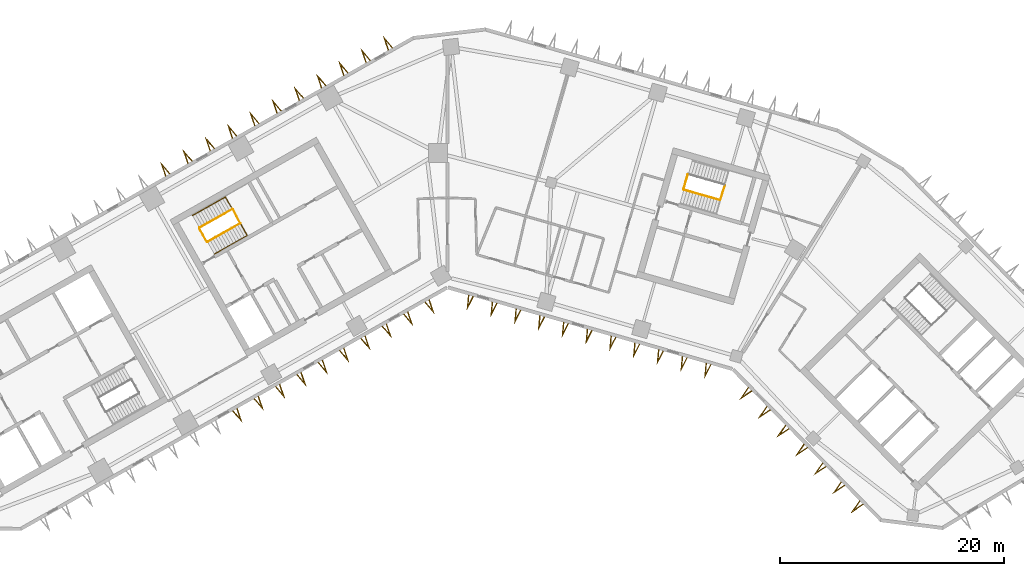
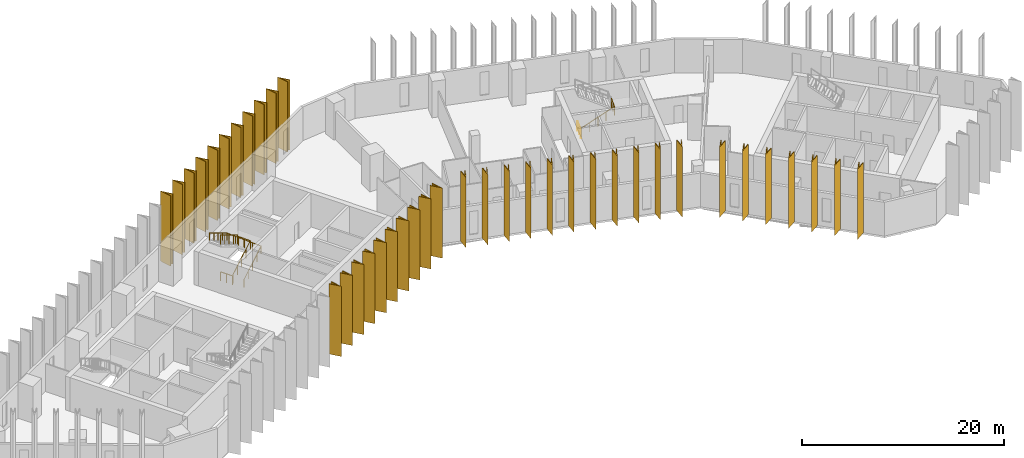
# One storey, part 10 of 11: 39 shading devices, 6 railings.
"""IFC4 building model written with IfcOpenShell, lengths in metres."""

from ifc_helpers import new_model, si_unit, direction, frame, origin, origin_2d, place, context, subcontext, project, spatial, polyline, circle, outline, extrude, material, type_object, element, save


model = new_model("IFC4")

# Units and contexts
model_context = context("Model", 3, precision=1e-05, world=origin(), true_north=direction((0.0, 1.0)))
body_context = subcontext(model_context, "Body", "Model", "MODEL_VIEW")
ifc_project = project(units=[si_unit("LENGTHUNIT", "METRE"), si_unit("AREAUNIT", "SQUARE_METRE"), si_unit("VOLUMEUNIT", "CUBIC_METRE"), si_unit("PLANEANGLEUNIT", "RADIAN"), si_unit("MASSUNIT", "GRAM", prefix="KILO")], contexts=[model_context])

# Site, building, storey
site_placement = place(None, origin())
site = spatial("IfcSite", under=ifc_project, at=site_placement, CompositionType="ELEMENT")
building_placement = place(site_placement, origin())
building = spatial("IfcBuilding", under=site, at=building_placement, Name="Binnacle Exchange Tower", CompositionType="ELEMENT")
storey_placement = place(building_placement, frame((0.0, 0.0, 114.699951171875)))
storey = spatial("IfcBuildingStorey", under=building, at=storey_placement, Name="L23", CompositionType="ELEMENT", Elevation=114.699951171875)

# Railings
ifc_material_1 = material(Name="Steel guard rail", Category="steel")
railing_type_1 = type_object("IfcRailingType", Name="STAIR GUARD 1100", PredefinedType="GUARDRAIL", material=ifc_material_1)
railing_1_placement = place(storey_placement, frame((-21.423828125, 52.07275390625, 0.169189453125)))
element("IfcRailing", 1, at=railing_1_placement, inside=storey, type_object=railing_type_1, Name="L23 STC1 stair guard 1", PredefinedType="GUARDRAIL", context=body_context, shape_type="SweptSolid", body=[
    extrude(circle(Radius=0.02392578125, at=origin_2d()), frame((0.0, 0.0, 1.076171875), z_axis=(0.744895141965, 0.421417011194, 0.517241655469), x_axis=(-0.49240197835, 0.870367905955, 0.0)), (0.0, 0.0, 1.0), 3.926025390625),
    extrude(circle(Radius=0.02392578125, at=origin_2d()), frame((2.924560546875, 1.654541015625, 3.10693359375), z_axis=(-0.461171632143, 0.887310952094, 0.0), x_axis=(-0.887310952094, -0.461171632143, 0.0)), (0.0, 0.0, 1.0), 1.40087890625),
    extrude(circle(Radius=0.02099609375, at=origin_2d()), origin(), (0.0, 0.0, 1.0), 1.052001953125),
    extrude(circle(Radius=0.02099609375, at=origin_2d()), frame((0.731201171875, 0.41357421875, 0.5078125)), (0.0, 0.0, 1.0), 1.052001953125),
    extrude(circle(Radius=0.02099609375, at=origin_2d()), frame((1.46240234375, 0.8271484375, 1.015380859375)), (0.0, 0.0, 1.0), 1.052001953125),
    extrude(circle(Radius=0.02099609375, at=origin_2d()), frame((2.193359375, 1.240966796875, 1.52294921875)), (0.0, 0.0, 1.0), 1.052001953125),
    extrude(circle(Radius=0.02099609375, at=origin_2d()), frame((2.924560546875, 1.654541015625, 2.03076171875)), (0.0, 0.0, 1.0), 1.052001953125),
    extrude(circle(Radius=0.02099609375, at=origin_2d()), frame((2.6015625, 2.27587890625, 2.03076171875)), (0.0, 0.0, 1.0), 1.052001953125),
    extrude(circle(Radius=0.02099609375, at=origin_2d()), frame((2.278564453125, 2.8974609375, 2.03076171875)), (0.0, 0.0, 1.0), 1.052001953125),
])
railing_2_placement = place(storey_placement, frame((-19.21337890625, 54.9892578125, 2.369384765625)))
element("IfcRailing", 2, at=railing_2_placement, inside=storey, type_object=railing_type_1, Name="L23 STC1 stair guard 2", PredefinedType="GUARDRAIL", context=body_context, shape_type="SweptSolid", body=[
    extrude(circle(Radius=0.02392578125, at=origin_2d()), frame((0.0, 0.0, 1.076171875), z_axis=(-0.744867460262, -0.421436531824, 0.517265614832), x_axis=(0.492433119026, -0.870350287693, 0.0)), (0.0, 0.0, 1.0), 3.926025390625),
    extrude(circle(Radius=0.02099609375, at=origin_2d()), origin(), (0.0, 0.0, 1.0), 1.052001953125),
    extrude(circle(Radius=0.02099609375, at=origin_2d()), frame((-0.73095703125, -0.41357421875, 0.5078125)), (0.0, 0.0, 1.0), 1.052001953125),
    extrude(circle(Radius=0.02099609375, at=origin_2d()), frame((-1.462158203125, -0.8271484375, 1.015380859375)), (0.0, 0.0, 1.0), 1.052001953125),
    extrude(circle(Radius=0.02099609375, at=origin_2d()), frame((-2.193359375, -1.240966796875, 1.52294921875)), (0.0, 0.0, 1.0), 1.052001953125),
    extrude(circle(Radius=0.02099609375, at=origin_2d()), frame((-2.92431640625, -1.654541015625, 2.03076171875)), (0.0, 0.0, 1.0), 1.052001953125),
])
railing_3_placement = place(storey_placement, frame((-21.491943359375, 52.091552734375, 0.0)))
element("IfcRailing", 3, at=railing_3_placement, inside=storey, type_object=railing_type_1, Name="L23 STC1 stair guard 3", PredefinedType="GUARDRAIL", context=body_context, shape_type="SweptSolid", body=[
    extrude(circle(Radius=0.02392578125, at=origin_2d()), frame((0.0, 0.0, 1.076171875), z_axis=(-0.49241474071, 0.870360685654, 0.0), x_axis=(-0.870360685654, -0.49241474071, 0.0)), (0.0, 0.0, 1.0), 1.35009765625),
    extrude(circle(Radius=0.02099609375, at=origin_2d()), origin(), (0.0, 0.0, 1.0), 1.052001953125),
    extrude(circle(Radius=0.02099609375, at=origin_2d()), frame((-0.33251953125, 0.58740234375, 0.0)), (0.0, 0.0, 1.0), 1.052001953125),
    extrude(circle(Radius=0.02099609375, at=origin_2d()), frame((-0.664794921875, 1.175048828125, 0.0)), (0.0, 0.0, 1.0), 1.052001953125),
])
railing_4_placement = place(storey_placement, frame((21.086669921875, 56.71044921875, 0.169189453125)))
element("IfcRailing", 4, at=railing_4_placement, inside=storey, type_object=railing_type_1, Name="L23 STD1 stair guard 1", PredefinedType="GUARDRAIL", context=body_context, shape_type="SweptSolid", body=[
    extrude(circle(Radius=0.02392578125, at=origin_2d()), frame((0.0, 0.0, 1.076171875), z_axis=(0.82266146106, -0.235934506256, 0.517264950721), x_axis=(0.27568068152, 0.961249271436, 0.0)), (0.0, 0.0, 1.0), 3.926025390625),
    extrude(circle(Radius=0.02392578125, at=origin_2d()), frame((3.229736328125, -0.92626953125, 3.10693359375), z_axis=(0.309842533299, 0.950787886208, 0.0), x_axis=(-0.950787886208, 0.309842533299, 0.0)), (0.0, 0.0, 1.0), 1.40087890625),
    extrude(circle(Radius=0.02099609375, at=origin_2d()), origin(), (0.0, 0.0, 1.0), 1.052001953125),
    extrude(circle(Radius=0.02099609375, at=origin_2d()), frame((0.807373046875, -0.2314453125, 0.5078125)), (0.0, 0.0, 1.0), 1.052001953125),
    extrude(circle(Radius=0.02099609375, at=origin_2d()), frame((1.61474609375, -0.463134765625, 1.015380859375)), (0.0, 0.0, 1.0), 1.052001953125),
    extrude(circle(Radius=0.02099609375, at=origin_2d()), frame((2.42236328125, -0.69482421875, 1.52294921875)), (0.0, 0.0, 1.0), 1.052001953125),
    extrude(circle(Radius=0.02099609375, at=origin_2d()), frame((3.229736328125, -0.92626953125, 2.03076171875)), (0.0, 0.0, 1.0), 1.052001953125),
    extrude(circle(Radius=0.02099609375, at=origin_2d()), frame((3.44677734375, -0.26025390625, 2.03076171875)), (0.0, 0.0, 1.0), 1.052001953125),
    extrude(circle(Radius=0.02099609375, at=origin_2d()), frame((3.663818359375, 0.40576171875, 2.03076171875)), (0.0, 0.0, 1.0), 1.052001953125),
])
railing_5_placement = place(storey_placement, frame((21.05224609375, 56.772216796875, 0.0)))
element("IfcRailing", 5, at=railing_5_placement, inside=storey, type_object=railing_type_1, Name="L23 STD1 stair guard 3", PredefinedType="GUARDRAIL", context=body_context, shape_type="SweptSolid", body=[
    extrude(circle(Radius=0.02392578125, at=origin_2d()), frame((0.0, 0.0, 1.076171875), z_axis=(0.275795817769, 0.961216243569, 0.0), x_axis=(-0.961216243569, 0.275795817769, 0.0)), (0.0, 0.0, 1.0), 1.349853515625),
    extrude(circle(Radius=0.02099609375, at=origin_2d()), origin(), (0.0, 0.0, 1.0), 1.052001953125),
    extrude(circle(Radius=0.02099609375, at=origin_2d()), frame((0.18603515625, 0.64892578125, 0.0)), (0.0, 0.0, 1.0), 1.052001953125),
    extrude(circle(Radius=0.02099609375, at=origin_2d()), frame((0.372314453125, 1.297607421875, 0.0)), (0.0, 0.0, 1.0), 1.052001953125),
])
ifc_material_2 = material(Name="Steel handrail", Category="steel")
railing_type_2 = type_object("IfcRailingType", Name="STAIR HANDRAIL 900", PredefinedType="HANDRAIL", material=ifc_material_2)
railing_6_placement = place(storey_placement, frame((-20.808349609375, 50.984619140625, 0.169189453125)))
element("IfcRailing", 6, at=railing_6_placement, inside=storey, type_object=railing_type_2, Name="L23 STC1 stair handrail 1", PredefinedType="HANDRAIL", context=body_context, shape_type="SweptSolid", body=[
    extrude(circle(Radius=0.02392578125, at=origin_2d()), frame((0.0, 0.0, 0.8759765625), z_axis=(0.744895141965, 0.421417011194, 0.517241655469), x_axis=(-0.49240197835, 0.870367905955, 0.0)), (0.0, 0.0, 1.0), 3.926025390625),
    extrude(circle(Radius=0.02392578125, at=origin_2d()), frame((2.924560546875, 1.654541015625, 2.90673828125), z_axis=(-0.491961255224, 0.869561741692, 0.042854413346), x_axis=(-0.870361318571, -0.492413622004, 0.0)), (0.0, 0.0, 1.0), 3.95361328125),
    extrude(circle(Radius=0.02392578125, at=origin_2d()), frame((0.9794921875, 5.092529296875, 3.076171875), z_axis=(-0.744895141965, -0.421417011194, 0.517241655469), x_axis=(0.49240197835, -0.870367905955, 0.0)), (0.0, 0.0, 1.0), 3.926025390625),
    extrude(circle(Radius=0.02099609375, at=origin_2d()), origin(), (0.0, 0.0, 1.0), 0.851806640625),
    extrude(circle(Radius=0.02099609375, at=origin_2d()), frame((0.731201171875, 0.41357421875, 0.5078125)), (0.0, 0.0, 1.0), 0.851806640625),
    extrude(circle(Radius=0.02099609375, at=origin_2d()), frame((1.46240234375, 0.8271484375, 1.015380859375)), (0.0, 0.0, 1.0), 0.851806640625),
    extrude(circle(Radius=0.02099609375, at=origin_2d()), frame((2.193359375, 1.240966796875, 1.52294921875)), (0.0, 0.0, 1.0), 0.851806640625),
    extrude(circle(Radius=0.02099609375, at=origin_2d()), frame((2.924560546875, 1.654541015625, 2.03076171875)), (0.0, 0.0, 1.0), 0.851806640625),
    extrude(circle(Radius=0.02099609375, at=origin_2d()), frame((2.438232421875, 2.51416015625, 2.0732421875)), (0.0, 0.0, 1.0), 0.851806640625),
    extrude(circle(Radius=0.02099609375, at=origin_2d()), frame((1.9521484375, 3.37353515625, 2.115478515625)), (0.0, 0.0, 1.0), 0.851806640625),
    extrude(circle(Radius=0.02099609375, at=origin_2d()), frame((1.4658203125, 4.23291015625, 2.15771484375)), (0.0, 0.0, 1.0), 0.851806640625),
    extrude(circle(Radius=0.02099609375, at=origin_2d()), frame((0.9794921875, 5.092529296875, 2.2001953125)), (0.0, 0.0, 1.0), 0.851806640625),
    extrude(circle(Radius=0.02099609375, at=origin_2d()), frame((0.248291015625, 4.678955078125, 2.7080078125)), (0.0, 0.0, 1.0), 0.851806640625),
    extrude(circle(Radius=0.02099609375, at=origin_2d()), frame((-0.48291015625, 4.26513671875, 3.215576171875)), (0.0, 0.0, 1.0), 0.851806640625),
    extrude(circle(Radius=0.02099609375, at=origin_2d()), frame((-1.2138671875, 3.8515625, 3.72314453125)), (0.0, 0.0, 1.0), 0.851806640625),
    extrude(circle(Radius=0.02099609375, at=origin_2d()), frame((-1.945068359375, 3.43798828125, 4.23095703125)), (0.0, 0.0, 1.0), 0.851806640625),
])

# Shading devices
ifc_material_3 = material(Name="Bronze aluminium cladding", Category="aluminium")
shading_device_type = type_object("IfcShadingDeviceType", Name="V FIN 1300 DEEP x 8480 HIGH", PredefinedType="USERDEFINED", material=ifc_material_3)
shading_device_1_placement = place(storey_placement, origin())
element("IfcShadingDevice", 7, at=shading_device_1_placement, inside=storey, type_object=shading_device_type, Name="V fin FN-F03-01 L23", ObjectType="FIN", PredefinedType="USERDEFINED", context=body_context, shape_type="SweptSolid", body=[
    extrude(outline(polyline([(-4.88916015625, 69.40625), (-5.746826171875, 70.41455078125), (-5.32421875, 69.159912109375), (-5.25341796875, 69.2001953125), (-5.5380859375, 70.0458984375), (-4.9599609375, 69.3662109375), (-4.88916015625, 69.40625)])), origin(), (0.0, 0.0, 1.0), 8.47998046875),
])
shading_device_2_placement = place(storey_placement, origin())
element("IfcShadingDevice", 8, at=shading_device_2_placement, inside=storey, type_object=shading_device_type, Name="V fin FN-F03-02 L23", ObjectType="FIN", PredefinedType="USERDEFINED", context=body_context, shape_type="SweptSolid", body=[
    extrude(outline(polyline([(-6.87548828125, 68.2822265625), (-7.7333984375, 69.290771484375), (-7.310791015625, 68.0361328125), (-7.239990234375, 68.076171875), (-7.524658203125, 68.922119140625), (-6.946533203125, 68.2421875), (-6.87548828125, 68.2822265625)])), origin(), (0.0, 0.0, 1.0), 8.47998046875),
])
shading_device_3_placement = place(storey_placement, origin())
element("IfcShadingDevice", 9, at=shading_device_3_placement, inside=storey, type_object=shading_device_type, Name="V fin FN-F03-03 L23", ObjectType="FIN", PredefinedType="USERDEFINED", context=body_context, shape_type="SweptSolid", body=[
    extrude(outline(polyline([(-8.862060546875, 67.158203125), (-9.719970703125, 68.166748046875), (-9.29736328125, 66.912109375), (-9.226318359375, 66.9521484375), (-9.51123046875, 67.798095703125), (-8.93310546875, 67.1181640625), (-8.862060546875, 67.158203125)])), origin(), (0.0, 0.0, 1.0), 8.47998046875),
])
shading_device_4_placement = place(storey_placement, origin())
element("IfcShadingDevice", 10, at=shading_device_4_placement, inside=storey, type_object=shading_device_type, Name="V fin FN-F03-04 L23", ObjectType="FIN", PredefinedType="USERDEFINED", context=body_context, shape_type="SweptSolid", body=[
    extrude(outline(polyline([(-10.8486328125, 66.034423828125), (-11.70654296875, 67.042724609375), (-11.283935546875, 65.7880859375), (-11.212890625, 65.828369140625), (-11.497802734375, 66.674072265625), (-10.919677734375, 65.994384765625), (-10.8486328125, 66.034423828125)])), origin(), (0.0, 0.0, 1.0), 8.47998046875),
])
shading_device_5_placement = place(storey_placement, origin())
element("IfcShadingDevice", 11, at=shading_device_5_placement, inside=storey, type_object=shading_device_type, Name="V fin FN-F03-05 L23", ObjectType="FIN", PredefinedType="USERDEFINED", context=body_context, shape_type="SweptSolid", body=[
    extrude(outline(polyline([(-12.835205078125, 64.910400390625), (-13.693115234375, 65.9189453125), (-13.2705078125, 64.664306640625), (-13.199462890625, 64.704345703125), (-13.484375, 65.55029296875), (-12.906005859375, 64.870361328125), (-12.835205078125, 64.910400390625)])), origin(), (0.0, 0.0, 1.0), 8.47998046875),
])
shading_device_6_placement = place(storey_placement, origin())
element("IfcShadingDevice", 12, at=shading_device_6_placement, inside=storey, type_object=shading_device_type, Name="V fin FN-F03-06 L23", ObjectType="FIN", PredefinedType="USERDEFINED", context=body_context, shape_type="SweptSolid", body=[
    extrude(outline(polyline([(-14.82177734375, 63.78662109375), (-15.6796875, 64.794921875), (-15.257080078125, 63.540283203125), (-15.18603515625, 63.580322265625), (-15.470947265625, 64.42626953125), (-14.892578125, 63.746337890625), (-14.82177734375, 63.78662109375)])), origin(), (0.0, 0.0, 1.0), 8.47998046875),
])
shading_device_7_placement = place(storey_placement, origin())
element("IfcShadingDevice", 13, at=shading_device_7_placement, inside=storey, type_object=shading_device_type, Name="V fin FN-F03-07 L23", ObjectType="FIN", PredefinedType="USERDEFINED", context=body_context, shape_type="SweptSolid", body=[
    extrude(outline(polyline([(-16.808349609375, 62.66259765625), (-17.666015625, 63.6708984375), (-17.243408203125, 62.41650390625), (-17.172607421875, 62.45654296875), (-17.45751953125, 63.30224609375), (-16.879150390625, 62.62255859375), (-16.808349609375, 62.66259765625)])), origin(), (0.0, 0.0, 1.0), 8.47998046875),
])
shading_device_8_placement = place(storey_placement, origin())
element("IfcShadingDevice", 14, at=shading_device_8_placement, inside=storey, type_object=shading_device_type, Name="V fin FN-F03-08 L23", ObjectType="FIN", PredefinedType="USERDEFINED", context=body_context, shape_type="SweptSolid", body=[
    extrude(outline(polyline([(-18.794921875, 61.53857421875), (-19.652587890625, 62.547119140625), (-19.22998046875, 61.29248046875), (-19.1591796875, 61.33251953125), (-19.444091796875, 62.17822265625), (-18.86572265625, 61.49853515625), (-18.794921875, 61.53857421875)])), origin(), (0.0, 0.0, 1.0), 8.47998046875),
])
shading_device_9_placement = place(storey_placement, origin())
element("IfcShadingDevice", 15, at=shading_device_9_placement, inside=storey, type_object=shading_device_type, Name="V fin FN-F03-09 L23", ObjectType="FIN", PredefinedType="USERDEFINED", context=body_context, shape_type="SweptSolid", body=[
    extrude(outline(polyline([(-20.781494140625, 60.414794921875), (-21.639404296875, 61.423095703125), (-21.216796875, 60.16845703125), (-21.145751953125, 60.20849609375), (-21.4306640625, 61.054443359375), (-20.852294921875, 60.37451171875), (-20.781494140625, 60.414794921875)])), origin(), (0.0, 0.0, 1.0), 8.47998046875),
])
shading_device_10_placement = place(storey_placement, origin())
element("IfcShadingDevice", 16, at=shading_device_10_placement, inside=storey, type_object=shading_device_type, Name="V fin FN-F03-10 L23", ObjectType="FIN", PredefinedType="USERDEFINED", context=body_context, shape_type="SweptSolid", body=[
    extrude(outline(polyline([(-22.76806640625, 59.290771484375), (-23.625732421875, 60.29931640625), (-23.203125, 59.044677734375), (-23.13232421875, 59.084716796875), (-23.4169921875, 59.930419921875), (-22.8388671875, 59.250732421875), (-22.76806640625, 59.290771484375)])), origin(), (0.0, 0.0, 1.0), 8.47998046875),
])
shading_device_11_placement = place(storey_placement, origin())
element("IfcShadingDevice", 17, at=shading_device_11_placement, inside=storey, type_object=shading_device_type, Name="V fin FN-F03-11 L23", ObjectType="FIN", PredefinedType="USERDEFINED", context=body_context, shape_type="SweptSolid", body=[
    extrude(outline(polyline([(-24.754638671875, 58.166748046875), (-25.6123046875, 59.17529296875), (-25.189697265625, 57.920654296875), (-25.118896484375, 57.960693359375), (-25.40380859375, 58.806396484375), (-24.825439453125, 58.126708984375), (-24.754638671875, 58.166748046875)])), origin(), (0.0, 0.0, 1.0), 8.47998046875),
])
shading_device_12_placement = place(storey_placement, origin())
element("IfcShadingDevice", 18, at=shading_device_12_placement, inside=storey, type_object=shading_device_type, Name="V fin FN-F07-10 L23", ObjectType="FIN", PredefinedType="USERDEFINED", context=body_context, shape_type="SweptSolid", body=[
    extrude(outline(polyline([(-19.192626953125, 36.968994140625), (-18.334716796875, 35.960693359375), (-18.75732421875, 37.215087890625), (-18.828369140625, 37.175048828125), (-18.54345703125, 36.329345703125), (-19.12158203125, 37.009033203125), (-19.192626953125, 36.968994140625)])), origin(), (0.0, 0.0, 1.0), 8.47998046875),
])
shading_device_13_placement = place(storey_placement, origin())
element("IfcShadingDevice", 19, at=shading_device_13_placement, inside=storey, type_object=shading_device_type, Name="V fin FN-F07-11 L23", ObjectType="FIN", PredefinedType="USERDEFINED", context=body_context, shape_type="SweptSolid", body=[
    extrude(outline(polyline([(-17.28759765625, 38.046875), (-16.429931640625, 37.038330078125), (-16.8525390625, 38.29296875), (-16.92333984375, 38.2529296875), (-16.638671875, 37.406982421875), (-17.216796875, 38.0869140625), (-17.28759765625, 38.046875)])), origin(), (0.0, 0.0, 1.0), 8.47998046875),
])
shading_device_14_placement = place(storey_placement, origin())
element("IfcShadingDevice", 20, at=shading_device_14_placement, inside=storey, type_object=shading_device_type, Name="V fin FN-F07-12 L23", ObjectType="FIN", PredefinedType="USERDEFINED", context=body_context, shape_type="SweptSolid", body=[
    extrude(outline(polyline([(-15.3828125, 39.12451171875), (-14.525146484375, 38.1162109375), (-14.94775390625, 39.37060546875), (-15.0185546875, 39.33056640625), (-14.73388671875, 38.48486328125), (-15.31201171875, 39.16455078125), (-15.3828125, 39.12451171875)])), origin(), (0.0, 0.0, 1.0), 8.47998046875),
])
shading_device_15_placement = place(storey_placement, origin())
element("IfcShadingDevice", 21, at=shading_device_15_placement, inside=storey, type_object=shading_device_type, Name="V fin FN-F07-13 L23", ObjectType="FIN", PredefinedType="USERDEFINED", context=body_context, shape_type="SweptSolid", body=[
    extrude(outline(polyline([(-13.477783203125, 40.2021484375), (-12.6201171875, 39.19384765625), (-13.042724609375, 40.448486328125), (-13.113525390625, 40.408203125), (-12.828857421875, 39.5625), (-13.406982421875, 40.2421875), (-13.477783203125, 40.2021484375)])), origin(), (0.0, 0.0, 1.0), 8.47998046875),
])
shading_device_16_placement = place(storey_placement, origin())
element("IfcShadingDevice", 22, at=shading_device_16_placement, inside=storey, type_object=shading_device_type, Name="V fin FN-F07-14 L23", ObjectType="FIN", PredefinedType="USERDEFINED", context=body_context, shape_type="SweptSolid", body=[
    extrude(outline(polyline([(-11.572998046875, 41.280029296875), (-10.715087890625, 40.271484375), (-11.1376953125, 41.526123046875), (-11.208740234375, 41.486083984375), (-10.923828125, 40.640380859375), (-11.502197265625, 41.320068359375), (-11.572998046875, 41.280029296875)])), origin(), (0.0, 0.0, 1.0), 8.47998046875),
])
shading_device_17_placement = place(storey_placement, origin())
element("IfcShadingDevice", 23, at=shading_device_17_placement, inside=storey, type_object=shading_device_type, Name="V fin FN-F07-15 L23", ObjectType="FIN", PredefinedType="USERDEFINED", context=body_context, shape_type="SweptSolid", body=[
    extrude(outline(polyline([(-9.668212890625, 42.357666015625), (-8.810302734375, 41.349365234375), (-9.23291015625, 42.60400390625), (-9.303955078125, 42.563720703125), (-9.01904296875, 41.718017578125), (-9.597412109375, 42.397705078125), (-9.668212890625, 42.357666015625)])), origin(), (0.0, 0.0, 1.0), 8.47998046875),
])
shading_device_18_placement = place(storey_placement, origin())
element("IfcShadingDevice", 24, at=shading_device_18_placement, inside=storey, type_object=shading_device_type, Name="V fin FN-F07-16 L23", ObjectType="FIN", PredefinedType="USERDEFINED", context=body_context, shape_type="SweptSolid", body=[
    extrude(outline(polyline([(-7.76318359375, 43.435302734375), (-6.905517578125, 42.427001953125), (-7.327880859375, 43.681640625), (-7.39892578125, 43.6416015625), (-7.114013671875, 42.795654296875), (-7.6923828125, 43.4755859375), (-7.76318359375, 43.435302734375)])), origin(), (0.0, 0.0, 1.0), 8.47998046875),
])
shading_device_19_placement = place(storey_placement, origin())
element("IfcShadingDevice", 25, at=shading_device_19_placement, inside=storey, type_object=shading_device_type, Name="V fin FN-F07-17 L23", ObjectType="FIN", PredefinedType="USERDEFINED", context=body_context, shape_type="SweptSolid", body=[
    extrude(outline(polyline([(-5.8583984375, 44.51318359375), (-5.00048828125, 43.5048828125), (-5.423095703125, 44.759521484375), (-5.494140625, 44.71923828125), (-5.209228515625, 43.87353515625), (-5.78759765625, 44.55322265625), (-5.8583984375, 44.51318359375)])), origin(), (0.0, 0.0, 1.0), 8.47998046875),
])
shading_device_20_placement = place(storey_placement, origin())
element("IfcShadingDevice", 26, at=shading_device_20_placement, inside=storey, type_object=shading_device_type, Name="V fin FN-F07-18 L23", ObjectType="FIN", PredefinedType="USERDEFINED", context=body_context, shape_type="SweptSolid", body=[
    extrude(outline(polyline([(-3.95361328125, 45.5908203125), (-3.095703125, 44.58251953125), (-3.518310546875, 45.837158203125), (-3.589111328125, 45.797119140625), (-3.304443359375, 44.951171875), (-3.882568359375, 45.631103515625), (-3.95361328125, 45.5908203125)])), origin(), (0.0, 0.0, 1.0), 8.47998046875),
])
shading_device_21_placement = place(storey_placement, origin())
element("IfcShadingDevice", 27, at=shading_device_21_placement, inside=storey, type_object=shading_device_type, Name="V fin FN-F07-19 L23", ObjectType="FIN", PredefinedType="USERDEFINED", context=body_context, shape_type="SweptSolid", body=[
    extrude(outline(polyline([(-2.048583984375, 46.668701171875), (-1.19091796875, 45.660400390625), (-1.61328125, 46.914794921875), (-1.684326171875, 46.874755859375), (-1.3994140625, 46.029052734375), (-1.977783203125, 46.708740234375), (-2.048583984375, 46.668701171875)])), origin(), (0.0, 0.0, 1.0), 8.47998046875),
])
shading_device_22_placement = place(storey_placement, origin())
element("IfcShadingDevice", 28, at=shading_device_22_placement, inside=storey, type_object=shading_device_type, Name="V fin FN-F08-01 L23", ObjectType="FIN", PredefinedType="USERDEFINED", context=body_context, shape_type="SweptSolid", body=[
    extrude(outline(polyline([(1.837890625, 47.31689453125), (1.719970703125, 45.998291015625), (2.318603515625, 47.17919921875), (2.240234375, 47.201416015625), (1.836669921875, 46.405517578125), (1.916259765625, 47.29443359375), (1.837890625, 47.31689453125)])), origin(), (0.0, 0.0, 1.0), 8.47998046875),
])
shading_device_23_placement = place(storey_placement, origin())
element("IfcShadingDevice", 29, at=shading_device_23_placement, inside=storey, type_object=shading_device_type, Name="V fin FN-F08-02 L23", ObjectType="FIN", PredefinedType="USERDEFINED", context=body_context, shape_type="SweptSolid", body=[
    extrude(outline(polyline([(3.957763671875, 46.708984375), (3.839599609375, 45.390625), (4.438232421875, 46.5712890625), (4.360107421875, 46.59375), (3.956298828125, 45.7978515625), (4.035888671875, 46.686767578125), (3.957763671875, 46.708984375)])), origin(), (0.0, 0.0, 1.0), 8.47998046875),
])
shading_device_24_placement = place(storey_placement, origin())
element("IfcShadingDevice", 30, at=shading_device_24_placement, inside=storey, type_object=shading_device_type, Name="V fin FN-F08-03 L23", ObjectType="FIN", PredefinedType="USERDEFINED", context=body_context, shape_type="SweptSolid", body=[
    extrude(outline(polyline([(6.077392578125, 46.101318359375), (5.95947265625, 44.78271484375), (6.55810546875, 45.96337890625), (6.479736328125, 45.98583984375), (6.076171875, 45.18994140625), (6.15576171875, 46.078857421875), (6.077392578125, 46.101318359375)])), origin(), (0.0, 0.0, 1.0), 8.47998046875),
])
shading_device_25_placement = place(storey_placement, origin())
element("IfcShadingDevice", 31, at=shading_device_25_placement, inside=storey, type_object=shading_device_type, Name="V fin FN-F08-04 L23", ObjectType="FIN", PredefinedType="USERDEFINED", context=body_context, shape_type="SweptSolid", body=[
    extrude(outline(polyline([(8.197021484375, 45.493408203125), (8.0791015625, 44.175048828125), (8.677734375, 45.355712890625), (8.599365234375, 45.378173828125), (8.19580078125, 44.582275390625), (8.275390625, 45.47119140625), (8.197021484375, 45.493408203125)])), origin(), (0.0, 0.0, 1.0), 8.47998046875),
])
shading_device_26_placement = place(storey_placement, origin())
element("IfcShadingDevice", 32, at=shading_device_26_placement, inside=storey, type_object=shading_device_type, Name="V fin FN-F08-05 L23", ObjectType="FIN", PredefinedType="USERDEFINED", context=body_context, shape_type="SweptSolid", body=[
    extrude(outline(polyline([(10.316650390625, 44.8857421875), (10.19873046875, 43.567138671875), (10.79736328125, 44.747802734375), (10.718994140625, 44.770263671875), (10.3154296875, 43.974365234375), (10.39501953125, 44.86328125), (10.316650390625, 44.8857421875)])), origin(), (0.0, 0.0, 1.0), 8.47998046875),
])
shading_device_27_placement = place(storey_placement, origin())
element("IfcShadingDevice", 33, at=shading_device_27_placement, inside=storey, type_object=shading_device_type, Name="V fin FN-F08-06 L23", ObjectType="FIN", PredefinedType="USERDEFINED", context=body_context, shape_type="SweptSolid", body=[
    extrude(outline(polyline([(12.436279296875, 44.27783203125), (12.318359375, 42.95947265625), (12.9169921875, 44.14013671875), (12.838623046875, 44.16259765625), (12.43505859375, 43.36669921875), (12.5146484375, 44.255615234375), (12.436279296875, 44.27783203125)])), origin(), (0.0, 0.0, 1.0), 8.47998046875),
])
shading_device_28_placement = place(storey_placement, origin())
element("IfcShadingDevice", 34, at=shading_device_28_placement, inside=storey, type_object=shading_device_type, Name="V fin FN-F08-07 L23", ObjectType="FIN", PredefinedType="USERDEFINED", context=body_context, shape_type="SweptSolid", body=[
    extrude(outline(polyline([(14.55615234375, 43.670166015625), (14.43798828125, 42.3515625), (15.03662109375, 43.5322265625), (14.95849609375, 43.5546875), (14.5546875, 42.7587890625), (14.634521484375, 43.647705078125), (14.55615234375, 43.670166015625)])), origin(), (0.0, 0.0, 1.0), 8.47998046875),
])
shading_device_29_placement = place(storey_placement, origin())
element("IfcShadingDevice", 35, at=shading_device_29_placement, inside=storey, type_object=shading_device_type, Name="V fin FN-F08-08 L23", ObjectType="FIN", PredefinedType="USERDEFINED", context=body_context, shape_type="SweptSolid", body=[
    extrude(outline(polyline([(16.67578125, 43.062255859375), (16.557861328125, 41.743896484375), (17.156494140625, 42.924560546875), (17.078125, 42.947021484375), (16.674560546875, 42.15087890625), (16.754150390625, 43.039794921875), (16.67578125, 43.062255859375)])), origin(), (0.0, 0.0, 1.0), 8.47998046875),
])
shading_device_30_placement = place(storey_placement, origin())
element("IfcShadingDevice", 36, at=shading_device_30_placement, inside=storey, type_object=shading_device_type, Name="V fin FN-F08-09 L23", ObjectType="FIN", PredefinedType="USERDEFINED", context=body_context, shape_type="SweptSolid", body=[
    extrude(outline(polyline([(18.79541015625, 42.454345703125), (18.677490234375, 41.135986328125), (19.276123046875, 42.316650390625), (19.19775390625, 42.339111328125), (18.794189453125, 41.543212890625), (18.873779296875, 42.431884765625), (18.79541015625, 42.454345703125)])), origin(), (0.0, 0.0, 1.0), 8.47998046875),
])
shading_device_31_placement = place(storey_placement, origin())
element("IfcShadingDevice", 37, at=shading_device_31_placement, inside=storey, type_object=shading_device_type, Name="V fin FN-F08-10 L23", ObjectType="FIN", PredefinedType="USERDEFINED", context=body_context, shape_type="SweptSolid", body=[
    extrude(outline(polyline([(20.9150390625, 41.8466796875), (20.797119140625, 40.528076171875), (21.395751953125, 41.708740234375), (21.3173828125, 41.731201171875), (20.913818359375, 40.935302734375), (20.993408203125, 41.82421875), (20.9150390625, 41.8466796875)])), origin(), (0.0, 0.0, 1.0), 8.47998046875),
])
shading_device_32_placement = place(storey_placement, origin())
element("IfcShadingDevice", 38, at=shading_device_32_placement, inside=storey, type_object=shading_device_type, Name="V fin FN-F08-11 L23", ObjectType="FIN", PredefinedType="USERDEFINED", context=body_context, shape_type="SweptSolid", body=[
    extrude(outline(polyline([(23.034912109375, 41.23876953125), (22.916748046875, 39.92041015625), (23.515380859375, 41.10107421875), (23.43701171875, 41.123291015625), (23.033447265625, 40.327392578125), (23.113037109375, 41.21630859375), (23.034912109375, 41.23876953125)])), origin(), (0.0, 0.0, 1.0), 8.47998046875),
])
shading_device_33_placement = place(storey_placement, origin())
element("IfcShadingDevice", 39, at=shading_device_33_placement, inside=storey, type_object=shading_device_type, Name="V fin FN-F09-01 L23", ObjectType="FIN", PredefinedType="USERDEFINED", context=body_context, shape_type="SweptSolid", body=[
    extrude(outline(polyline([(26.810791015625, 39.093505859375), (26.05859375, 38.00390625), (27.1611328125, 38.73681640625), (27.10400390625, 38.794921875), (26.36083984375, 38.30078125), (26.867919921875, 39.035400390625), (26.810791015625, 39.093505859375)])), origin(), (0.0, 0.0, 1.0), 8.47998046875),
])
shading_device_34_placement = place(storey_placement, origin())
element("IfcShadingDevice", 40, at=shading_device_34_placement, inside=storey, type_object=shading_device_type, Name="V fin FN-F09-02 L23", ObjectType="FIN", PredefinedType="USERDEFINED", context=body_context, shape_type="SweptSolid", body=[
    extrude(outline(polyline([(28.467529296875, 37.407470703125), (27.715576171875, 36.31787109375), (28.818115234375, 37.05078125), (28.760986328125, 37.10888671875), (28.017578125, 36.61474609375), (28.524658203125, 37.349365234375), (28.467529296875, 37.407470703125)])), origin(), (0.0, 0.0, 1.0), 8.47998046875),
])
shading_device_35_placement = place(storey_placement, origin())
element("IfcShadingDevice", 41, at=shading_device_35_placement, inside=storey, type_object=shading_device_type, Name="V fin FN-F09-03 L23", ObjectType="FIN", PredefinedType="USERDEFINED", context=body_context, shape_type="SweptSolid", body=[
    extrude(outline(polyline([(30.12451171875, 35.721435546875), (29.372314453125, 34.632080078125), (30.474853515625, 35.364990234375), (30.417724609375, 35.423095703125), (29.674560546875, 34.928955078125), (30.181396484375, 35.663330078125), (30.12451171875, 35.721435546875)])), origin(), (0.0, 0.0, 1.0), 8.47998046875),
])
shading_device_36_placement = place(storey_placement, origin())
element("IfcShadingDevice", 42, at=shading_device_36_placement, inside=storey, type_object=shading_device_type, Name="V fin FN-F09-04 L23", ObjectType="FIN", PredefinedType="USERDEFINED", context=body_context, shape_type="SweptSolid", body=[
    extrude(outline(polyline([(31.78125, 34.035400390625), (31.029296875, 32.94580078125), (32.131591796875, 33.6787109375), (32.07470703125, 33.73681640625), (31.331298828125, 33.242919921875), (31.83837890625, 33.977294921875), (31.78125, 34.035400390625)])), origin(), (0.0, 0.0, 1.0), 8.47998046875),
])
shading_device_37_placement = place(storey_placement, origin())
element("IfcShadingDevice", 43, at=shading_device_37_placement, inside=storey, type_object=shading_device_type, Name="V fin FN-F09-05 L23", ObjectType="FIN", PredefinedType="USERDEFINED", context=body_context, shape_type="SweptSolid", body=[
    extrude(outline(polyline([(33.43798828125, 32.349365234375), (32.68603515625, 31.260009765625), (33.78857421875, 31.992919921875), (33.7314453125, 32.05078125), (32.98828125, 31.556884765625), (33.4951171875, 32.291259765625), (33.43798828125, 32.349365234375)])), origin(), (0.0, 0.0, 1.0), 8.47998046875),
])
shading_device_38_placement = place(storey_placement, origin())
element("IfcShadingDevice", 44, at=shading_device_38_placement, inside=storey, type_object=shading_device_type, Name="V fin FN-F09-06 L23", ObjectType="FIN", PredefinedType="USERDEFINED", context=body_context, shape_type="SweptSolid", body=[
    extrude(outline(polyline([(35.094970703125, 30.663330078125), (34.343017578125, 29.573974609375), (35.4453125, 30.306884765625), (35.38818359375, 30.364990234375), (34.64501953125, 29.870849609375), (35.152099609375, 30.605224609375), (35.094970703125, 30.663330078125)])), origin(), (0.0, 0.0, 1.0), 8.47998046875),
])
shading_device_39_placement = place(storey_placement, origin())
element("IfcShadingDevice", 45, at=shading_device_39_placement, inside=storey, type_object=shading_device_type, Name="V fin FN-F09-07 L23", ObjectType="FIN", PredefinedType="USERDEFINED", context=body_context, shape_type="SweptSolid", body=[
    extrude(outline(polyline([(36.751708984375, 28.977294921875), (35.999755859375, 27.887939453125), (37.102294921875, 28.620849609375), (37.045166015625, 28.678955078125), (36.302001953125, 28.184814453125), (36.808837890625, 28.919189453125), (36.751708984375, 28.977294921875)])), origin(), (0.0, 0.0, 1.0), 8.47998046875),
])

save(model, "model.ifc")
